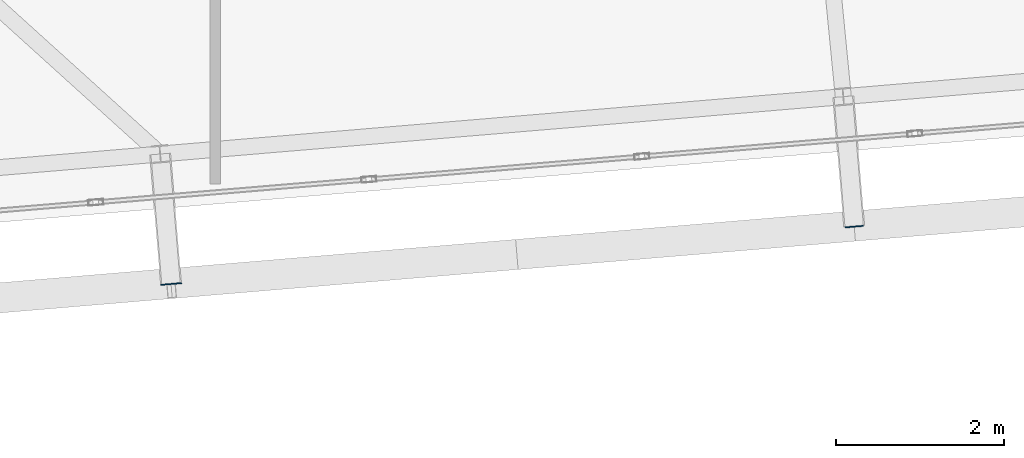
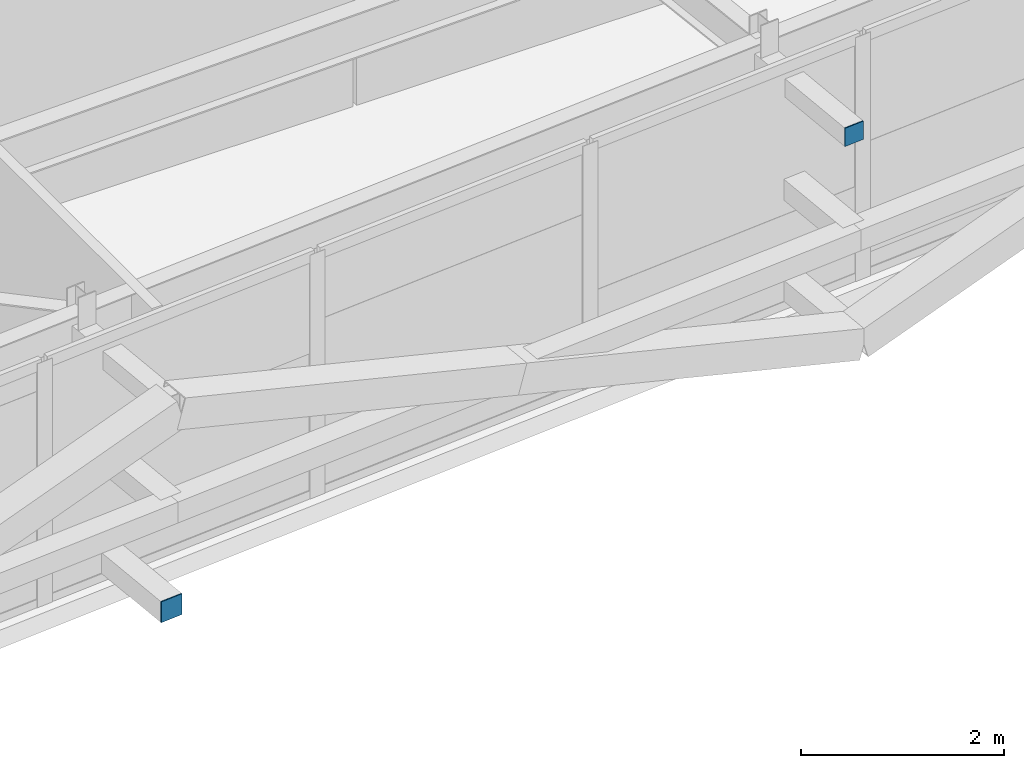
# One storey, part 35 of 46: 2 plates.
"""IFC4 building model written with IfcOpenShell, lengths in metres."""

from ifc_helpers import new_model, si_unit, direction, frame, origin, origin_2d, place, context, subcontext, project, spatial, rectangle, extrude, source, transform, mapped, material, layer, layer_set, type_object, element, save


model = new_model("IFC4")

# Units and contexts
model_context = context("Model", 3, precision=1e-05, world=origin(), true_north=direction((0.0, 1.0)))
body_context = subcontext(model_context, "Body", "Model", "MODEL_VIEW")
ifc_project = project(units=[si_unit("LENGTHUNIT", "METRE"), si_unit("AREAUNIT", "SQUARE_METRE"), si_unit("VOLUMEUNIT", "CUBIC_METRE"), si_unit("PLANEANGLEUNIT", "RADIAN"), si_unit("MASSUNIT", "GRAM", prefix="KILO")], contexts=[model_context])

# Site, building, storey
site_placement = place(None, origin())
site = spatial("IfcSite", under=ifc_project, at=site_placement, CompositionType="ELEMENT")
building_placement = place(site_placement, origin())
building = spatial("IfcBuilding", under=site, at=building_placement, Name="Taldren Reach Tower", CompositionType="ELEMENT")
storey_placement = place(building_placement, frame((0.0, 0.0, 194.60009765625)))
storey = spatial("IfcBuildingStorey", under=building, at=storey_placement, Name="L59", CompositionType="ELEMENT", Elevation=194.60009765625)

# Plates
ifc_material_1 = material(Name="Steel Gr 350 (C350L0)", Category="steel")
ifc_layer_1 = layer(ifc_material_1, 0.011962890625)
ifc_layer_set_1 = layer_set([ifc_layer_1], Name="Steel Gr 350 (C350L0)")
plate_type_1 = type_object("IfcPlateType", Name="PL-CAP-250", PredefinedType="SHEET", material=ifc_layer_set_1)
shared_shape_1 = source(origin(), body_context, "Body", "SweptSolid", [
    extrude(rectangle(XDim=0.25, YDim=0.011962890625, at=origin_2d()), origin(), (0.0, 0.0, 1.0), 0.25),
])
plate_1_placement = place(storey_placement, frame((34.472412109375, 1.912353515625, 0.094970703125), z_axis=(0.0, 0.0, 1.0), x_axis=(0.99649285925, 0.083677843332, 0.0)))
element("IfcPlate", 1, at=plate_1_placement, inside=storey, type_object=plate_type_1, Name="Tie strut end cap plate B4-S3 L59", PredefinedType="SHEET", context=body_context, shape_type="MappedRepresentation", body=[
    mapped(shared_shape_1, transform((0.0, 0.0, 0.0), scale=1.0)),
])
ifc_material_2 = material(Name="Steel Gr 450 (C450L0)", Category="steel")
ifc_layer_2 = layer(ifc_material_2, 0.011962890625)
ifc_layer_set_2 = layer_set([ifc_layer_2], Name="Steel Gr 450 (C450L0)")
plate_type_2 = type_object("IfcPlateType", Name="PL-CAP-220", PredefinedType="SHEET", material=ifc_layer_set_2)
shared_shape_2 = source(origin(), body_context, "Body", "SweptSolid", [
    extrude(rectangle(XDim=0.219970703125, YDim=0.011962890625, at=origin_2d()), origin(), (0.0, 0.0, 1.0), 0.219970703125),
])
plate_2_placement = place(storey_placement, frame((42.623779296875, 2.596923828125, 2.5400390625), z_axis=(0.0, 0.0, 1.0), x_axis=(0.99649285925, 0.083677843332, 0.0)))
element("IfcPlate", 2, at=plate_2_placement, inside=storey, type_object=plate_type_2, Name="Tie strut end cap plate B4-S4 L59", PredefinedType="SHEET", context=body_context, shape_type="MappedRepresentation", body=[
    mapped(shared_shape_2, transform((0.0, 0.0, 0.0), scale=1.0)),
])

save(model, "model.ifc")
